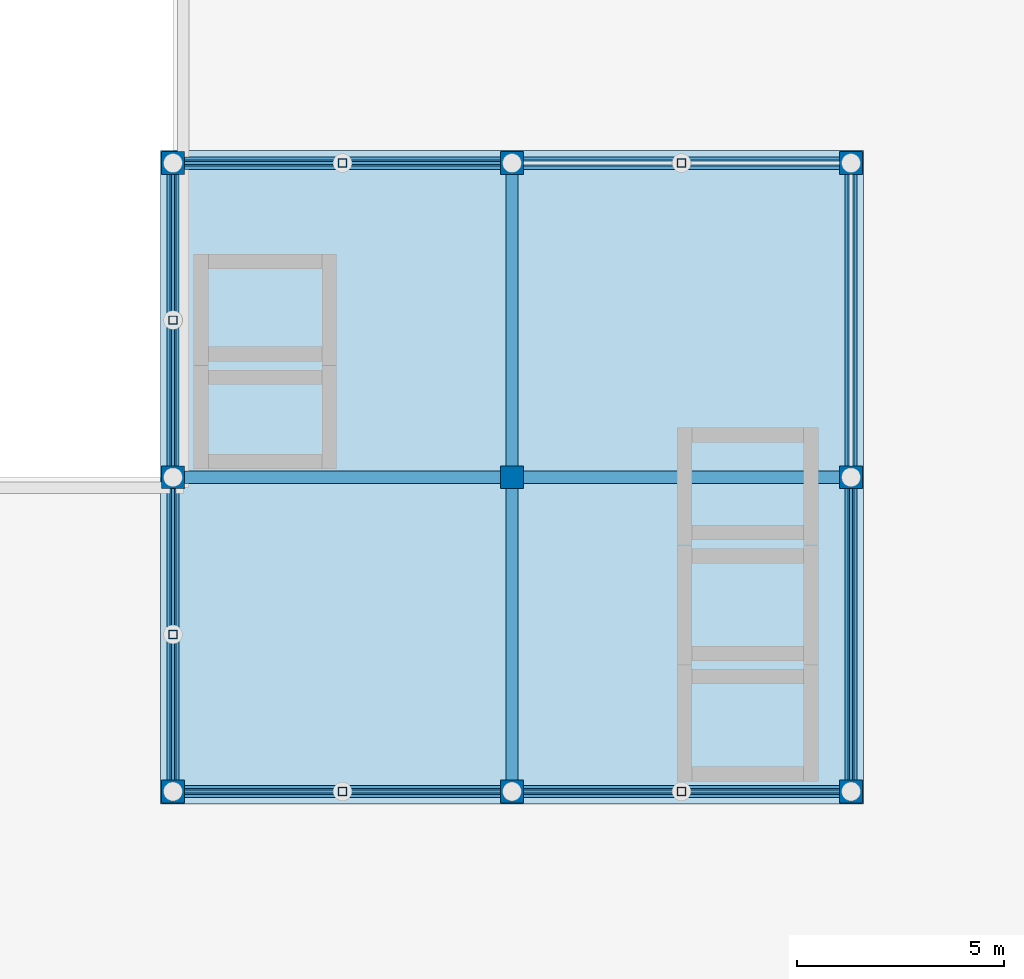
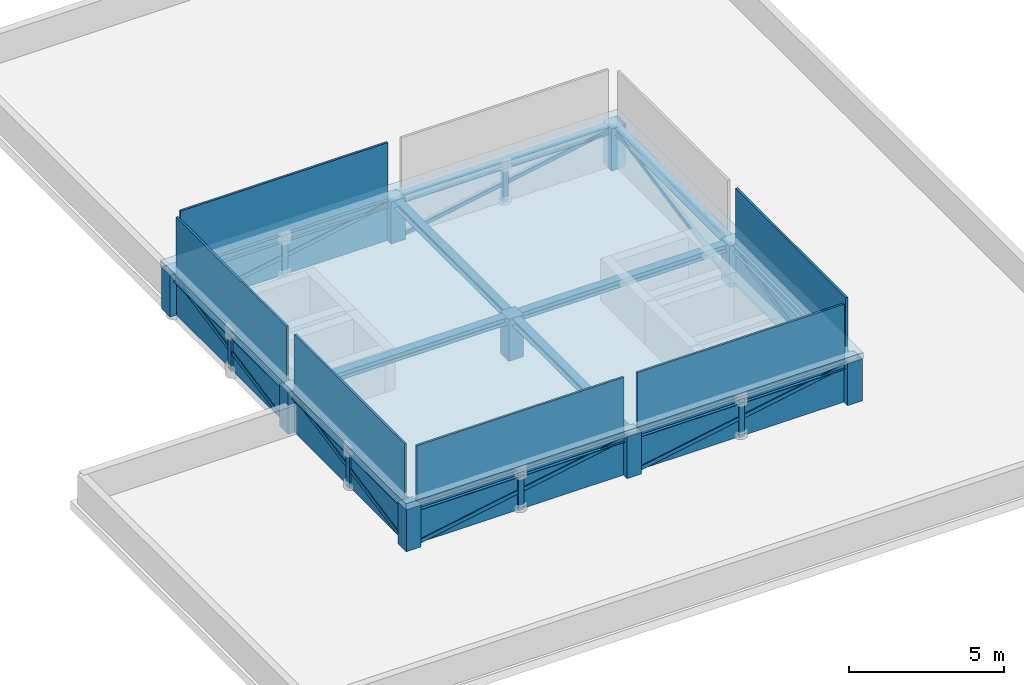
# One storey, part 1 of 2: 14 members, 12 beams, 9 columns, 6 plates, 1 slab.
"""IFC4 building model written with IfcOpenShell, lengths in metres."""

from ifc_helpers import new_model, si_unit, direction, frame, origin, origin_2d, place, context, subcontext, project, spatial, polyline, rectangle, hollow_rectangle, i_section, outline, extrude, material, layer, layer_set, material_profile, profile_set, type_object, element, save


model = new_model("IFC4")

# Units and contexts
model_context = context("Model", 3, precision=1e-05, world=origin(), true_north=direction((0.0, 1.0)))
body_context = subcontext(model_context, "Body", "Model", "MODEL_VIEW")
ifc_project = project(units=[si_unit("LENGTHUNIT", "METRE"), si_unit("AREAUNIT", "SQUARE_METRE"), si_unit("VOLUMEUNIT", "CUBIC_METRE"), si_unit("PLANEANGLEUNIT", "RADIAN"), si_unit("MASSUNIT", "GRAM", prefix="KILO")], contexts=[model_context])

# Site, building, storey
site_placement = place(None, origin())
site = spatial("IfcSite", under=ifc_project, at=site_placement, CompositionType="ELEMENT")
building_placement = place(site_placement, origin())
building = spatial("IfcBuilding", under=site, at=building_placement, Name="Qandaris Square Conservatory and Botanical Centre", CompositionType="ELEMENT")
storey_placement = place(building_placement, frame((0.0, 0.0, 74.199951171875)))
storey = spatial("IfcBuildingStorey", under=building, at=storey_placement, Name="RF", CompositionType="ELEMENT", Elevation=74.199951171875)

# Columns
ifc_material_1 = material(Name="Concrete C40/50", Category="concrete")
ifc_material_profile_1 = material_profile(ifc_material_1, rectangle(XDim=0.550048828125, YDim=0.550048828125, at=origin_2d()), Name="RC-COL 550x550")
ifc_profile_set_1 = profile_set([ifc_material_profile_1], Name="Concrete C40/50")
column_type = type_object("IfcColumnType", Name="RC Column 550x550", PredefinedType="COLUMN", material=ifc_profile_set_1)
for number, where, z_axis, x_axis, name in (
    (1, (139.199951171875, 24.199951171875, 0.0), (0.0, 0.0, 1.0), (1.0, 0.0, 0.0), "Crown Pavilion Column 1.1"),
    (2, (139.199951171875, 31.800048828125, 0.0), (0.0, 0.0, 1.0), (1.0, 0.0, 0.0), "Crown Pavilion Column 1.2"),
    (3, (139.199951171875, 39.39990234375, 0.0), (0.0, 0.0, 1.0), (1.0, 0.0, 0.0), "Crown Pavilion Column 1.3"),
    (4, (147.39990234375, 24.199951171875, 0.0), (0.0, 0.0, 1.0), (1.0, 0.0, 0.0), "Crown Pavilion Column 2.1"),
    (5, (147.39990234375, 31.800048828125, 0.0), (0.0, 0.0, 1.0), (1.0, 0.0, 0.0), "Crown Pavilion Column 2.2"),
    (6, (147.39990234375, 39.39990234375, 0.0), (0.0, 0.0, 1.0), (1.0, 0.0, 0.0), "Crown Pavilion Column 2.3"),
    (7, (155.60009765625, 24.199951171875, 0.0), (0.0, 0.0, 1.0), (1.0, 0.0, 0.0), "Crown Pavilion Column 3.1"),
    (8, (155.60009765625, 31.800048828125, 0.0), (0.0, 0.0, 1.0), (1.0, 0.0, 0.0), "Crown Pavilion Column 3.2"),
    (9, (155.60009765625, 39.39990234375, 0.0), (0.0, 0.0, 1.0), (1.0, 0.0, 0.0), "Crown Pavilion Column 3.3"),
):
    element("IfcColumn", number, at=place(storey_placement, frame(where, z_axis=z_axis, x_axis=x_axis)), inside=storey, type_object=column_type, Name=name, PredefinedType="COLUMN", context=body_context, shape_type="SweptSolid", body=[
        extrude(rectangle(XDim=0.550048828125, YDim=0.550048828125, at=origin_2d()), origin(), (0.0, 0.0, 1.0), 1.650146484375),
    ])

# Beams
ifc_material_2 = material(Name="Steel S355", Category="steel")
ifc_material_profile_2 = material_profile(ifc_material_2, i_section(OverallWidth=0.300048828125, OverallDepth=0.2900390625, WebThickness=0.008544921875, FlangeThickness=0.013916015625, FilletRadius=0.027099609375, at=origin_2d()), Name="HEA 300")
ifc_profile_set_2 = profile_set([ifc_material_profile_2], Name="Steel S355")
beam_type = type_object("IfcBeamType", Name="Canopy Tie Beam HEA 300", PredefinedType="BEAM", material=ifc_profile_set_2)
beam_1_placement = place(storey_placement, frame((139.199951171875, 24.199951171875, 1.5), z_axis=(1.0, 0.0, 0.0), x_axis=(0.0, 1.0, 0.0)))
element("IfcBeam", 10, at=beam_1_placement, inside=storey, type_object=beam_type, Name="Crown Ring Beam X1.1", PredefinedType="BEAM", context=body_context, shape_type="SweptSolid", body=[
    extrude(i_section(OverallWidth=0.300048828125, OverallDepth=0.2900390625, WebThickness=0.008544921875, FlangeThickness=0.013916015625, FilletRadius=0.027099609375, at=origin_2d()), origin(), (0.0, 0.0, 1.0), 8.199951171875),
])
beam_2_placement = place(storey_placement, frame((147.39990234375, 24.199951171875, 1.5), z_axis=(1.0, 0.0, 0.0), x_axis=(0.0, 1.0, 0.0)))
element("IfcBeam", 11, at=beam_2_placement, inside=storey, type_object=beam_type, Name="Crown Ring Beam X2.1", PredefinedType="BEAM", context=body_context, shape_type="SweptSolid", body=[
    extrude(i_section(OverallWidth=0.300048828125, OverallDepth=0.2900390625, WebThickness=0.008544921875, FlangeThickness=0.013916015625, FilletRadius=0.027099609375, at=origin_2d()), origin(), (0.0, 0.0, 1.0), 8.2001953125),
])
beam_3_placement = place(storey_placement, frame((139.199951171875, 31.800048828125, 1.5), z_axis=(1.0, 0.0, 0.0), x_axis=(0.0, 1.0, 0.0)))
element("IfcBeam", 12, at=beam_3_placement, inside=storey, type_object=beam_type, Name="Crown Ring Beam X1.2", PredefinedType="BEAM", context=body_context, shape_type="SweptSolid", body=[
    extrude(i_section(OverallWidth=0.300048828125, OverallDepth=0.2900390625, WebThickness=0.008544921875, FlangeThickness=0.013916015625, FilletRadius=0.027099609375, at=origin_2d()), origin(), (0.0, 0.0, 1.0), 8.199951171875),
])
beam_4_placement = place(storey_placement, frame((147.39990234375, 31.800048828125, 1.5), z_axis=(1.0, 0.0, 0.0), x_axis=(0.0, 1.0, 0.0)))
element("IfcBeam", 13, at=beam_4_placement, inside=storey, type_object=beam_type, Name="Crown Ring Beam X2.2", PredefinedType="BEAM", context=body_context, shape_type="SweptSolid", body=[
    extrude(i_section(OverallWidth=0.300048828125, OverallDepth=0.2900390625, WebThickness=0.008544921875, FlangeThickness=0.013916015625, FilletRadius=0.027099609375, at=origin_2d()), origin(), (0.0, 0.0, 1.0), 8.2001953125),
])
beam_5_placement = place(storey_placement, frame((139.199951171875, 39.39990234375, 1.5), z_axis=(1.0, 0.0, 0.0), x_axis=(0.0, 1.0, 0.0)))
element("IfcBeam", 14, at=beam_5_placement, inside=storey, type_object=beam_type, Name="Crown Ring Beam X1.3", PredefinedType="BEAM", context=body_context, shape_type="SweptSolid", body=[
    extrude(i_section(OverallWidth=0.300048828125, OverallDepth=0.2900390625, WebThickness=0.008544921875, FlangeThickness=0.013916015625, FilletRadius=0.027099609375, at=origin_2d()), origin(), (0.0, 0.0, 1.0), 8.199951171875),
])
beam_6_placement = place(storey_placement, frame((147.39990234375, 39.39990234375, 1.5), z_axis=(1.0, 0.0, 0.0), x_axis=(0.0, 1.0, 0.0)))
element("IfcBeam", 15, at=beam_6_placement, inside=storey, type_object=beam_type, Name="Crown Ring Beam X2.3", PredefinedType="BEAM", context=body_context, shape_type="SweptSolid", body=[
    extrude(i_section(OverallWidth=0.300048828125, OverallDepth=0.2900390625, WebThickness=0.008544921875, FlangeThickness=0.013916015625, FilletRadius=0.027099609375, at=origin_2d()), origin(), (0.0, 0.0, 1.0), 8.2001953125),
])
beam_7_placement = place(storey_placement, frame((139.199951171875, 24.199951171875, 1.5), z_axis=(0.0, 1.0, 0.0), x_axis=(-1.0, 0.0, 0.0)))
element("IfcBeam", 16, at=beam_7_placement, inside=storey, type_object=beam_type, Name="Crown Ring Beam Y1.1", PredefinedType="BEAM", context=body_context, shape_type="SweptSolid", body=[
    extrude(i_section(OverallWidth=0.300048828125, OverallDepth=0.2900390625, WebThickness=0.008544921875, FlangeThickness=0.013916015625, FilletRadius=0.027099609375, at=origin_2d()), origin(), (0.0, 0.0, 1.0), 7.60009765625),
])
beam_8_placement = place(storey_placement, frame((139.199951171875, 31.800048828125, 1.5), z_axis=(0.0, 1.0, 0.0), x_axis=(-1.0, 0.0, 0.0)))
element("IfcBeam", 17, at=beam_8_placement, inside=storey, type_object=beam_type, Name="Crown Ring Beam Y1.2", PredefinedType="BEAM", context=body_context, shape_type="SweptSolid", body=[
    extrude(i_section(OverallWidth=0.300048828125, OverallDepth=0.2900390625, WebThickness=0.008544921875, FlangeThickness=0.013916015625, FilletRadius=0.027099609375, at=origin_2d()), origin(), (0.0, 0.0, 1.0), 7.599853515625),
])
beam_9_placement = place(storey_placement, frame((147.39990234375, 24.199951171875, 1.5), z_axis=(0.0, 1.0, 0.0), x_axis=(-1.0, 0.0, 0.0)))
element("IfcBeam", 18, at=beam_9_placement, inside=storey, type_object=beam_type, Name="Crown Ring Beam Y2.1", PredefinedType="BEAM", context=body_context, shape_type="SweptSolid", body=[
    extrude(i_section(OverallWidth=0.300048828125, OverallDepth=0.2900390625, WebThickness=0.008544921875, FlangeThickness=0.013916015625, FilletRadius=0.027099609375, at=origin_2d()), origin(), (0.0, 0.0, 1.0), 7.60009765625),
])
beam_10_placement = place(storey_placement, frame((147.39990234375, 31.800048828125, 1.5), z_axis=(0.0, 1.0, 0.0), x_axis=(-1.0, 0.0, 0.0)))
element("IfcBeam", 19, at=beam_10_placement, inside=storey, type_object=beam_type, Name="Crown Ring Beam Y2.2", PredefinedType="BEAM", context=body_context, shape_type="SweptSolid", body=[
    extrude(i_section(OverallWidth=0.300048828125, OverallDepth=0.2900390625, WebThickness=0.008544921875, FlangeThickness=0.013916015625, FilletRadius=0.027099609375, at=origin_2d()), origin(), (0.0, 0.0, 1.0), 7.599853515625),
])
beam_11_placement = place(storey_placement, frame((155.60009765625, 24.199951171875, 1.5), z_axis=(0.0, 1.0, 0.0), x_axis=(-1.0, 0.0, 0.0)))
element("IfcBeam", 20, at=beam_11_placement, inside=storey, type_object=beam_type, Name="Crown Ring Beam Y3.1", PredefinedType="BEAM", context=body_context, shape_type="SweptSolid", body=[
    extrude(i_section(OverallWidth=0.300048828125, OverallDepth=0.2900390625, WebThickness=0.008544921875, FlangeThickness=0.013916015625, FilletRadius=0.027099609375, at=origin_2d()), origin(), (0.0, 0.0, 1.0), 7.60009765625),
])
beam_12_placement = place(storey_placement, frame((155.60009765625, 31.800048828125, 1.5), z_axis=(0.0, 1.0, 0.0), x_axis=(-1.0, 0.0, 0.0)))
element("IfcBeam", 21, at=beam_12_placement, inside=storey, type_object=beam_type, Name="Crown Ring Beam Y3.2", PredefinedType="BEAM", context=body_context, shape_type="SweptSolid", body=[
    extrude(i_section(OverallWidth=0.300048828125, OverallDepth=0.2900390625, WebThickness=0.008544921875, FlangeThickness=0.013916015625, FilletRadius=0.027099609375, at=origin_2d()), origin(), (0.0, 0.0, 1.0), 7.599853515625),
])

# Members
ifc_material_profile_3 = material_profile(ifc_material_2, hollow_rectangle(XDim=0.14990234375, YDim=0.14990234375, WallThickness=0.008056640625, at=origin_2d()), Name="SHS 150x150x8.0")
ifc_profile_set_3 = profile_set([ifc_material_profile_3], Name="Steel S355")
member_type_1 = type_object("IfcMemberType", Name="Crown Equipment Frame Brace SHS 150x150x8.0", PredefinedType="BRACE", material=ifc_profile_set_3)
for number, where, z_axis, x_axis, name in (
    (22, (139.199951171875, 24.199951171875, 0.0), (0.983677217048, 0.0, 0.17994202583), (0.0, 1.0, 0.0), "Crown Screen Brace X1.1"),
    (23, (139.199951171875, 39.39990234375, 0.0), (0.983677217048, 0.0, 0.17994202583), (0.0, 1.0, 0.0), "Crown Screen Brace X1.3"),
):
    element("IfcMember", number, at=place(storey_placement, frame(where, z_axis=z_axis, x_axis=x_axis)), inside=storey, type_object=member_type_1, Name=name, PredefinedType="BRACE", context=body_context, shape_type="SweptSolid", body=[
        extrude(hollow_rectangle(XDim=0.14990234375, YDim=0.14990234375, WallThickness=0.008056640625, at=origin_2d()), origin(), (0.0, 0.0, 1.0), 8.3359375),
    ])
for number, where, z_axis, x_axis, name in (
    (24, (147.39990234375, 24.199951171875, 0.0), (0.983678165309, 0.0, 0.179936841957), (0.0, 1.0, 0.0), "Crown Screen Brace X2.1"),
    (25, (147.39990234375, 39.39990234375, 0.0), (0.983678165309, 0.0, 0.179936841957), (0.0, 1.0, 0.0), "Crown Screen Brace X2.3"),
):
    element("IfcMember", number, at=place(storey_placement, frame(where, z_axis=z_axis, x_axis=x_axis)), inside=storey, type_object=member_type_1, Name=name, PredefinedType="BRACE", context=body_context, shape_type="SweptSolid", body=[
        extrude(hollow_rectangle(XDim=0.14990234375, YDim=0.14990234375, WallThickness=0.008056640625, at=origin_2d()), origin(), (0.0, 0.0, 1.0), 8.336181640625),
    ])
member_1_placement = place(storey_placement, frame((139.199951171875, 24.199951171875, 0.0), z_axis=(0.0, 0.981074500926, 0.193630637125), x_axis=(-1.0, 0.0, 0.0)))
element("IfcMember", 26, at=member_1_placement, inside=storey, type_object=member_type_1, Name="Crown Screen Brace Y1.1", PredefinedType="BRACE", context=body_context, shape_type="SweptSolid", body=[
    extrude(hollow_rectangle(XDim=0.14990234375, YDim=0.14990234375, WallThickness=0.008056640625, at=origin_2d()), origin(), (0.0, 0.0, 1.0), 7.746826171875),
])
member_2_placement = place(storey_placement, frame((139.199951171875, 31.800048828125, 0.0), z_axis=(0.0, 0.98107331927, 0.193636624164), x_axis=(-1.0, 0.0, 0.0)))
element("IfcMember", 27, at=member_2_placement, inside=storey, type_object=member_type_1, Name="Crown Screen Brace Y1.2", PredefinedType="BRACE", context=body_context, shape_type="SweptSolid", body=[
    extrude(hollow_rectangle(XDim=0.14990234375, YDim=0.14990234375, WallThickness=0.008056640625, at=origin_2d()), origin(), (0.0, 0.0, 1.0), 7.74658203125),
])
member_3_placement = place(storey_placement, frame((155.60009765625, 24.199951171875, 0.0), z_axis=(0.0, 0.981074500926, 0.193630637125), x_axis=(-1.0, 0.0, 0.0)))
element("IfcMember", 28, at=member_3_placement, inside=storey, type_object=member_type_1, Name="Crown Screen Brace Y3.1", PredefinedType="BRACE", context=body_context, shape_type="SweptSolid", body=[
    extrude(hollow_rectangle(XDim=0.14990234375, YDim=0.14990234375, WallThickness=0.008056640625, at=origin_2d()), origin(), (0.0, 0.0, 1.0), 7.746826171875),
])
member_4_placement = place(storey_placement, frame((155.60009765625, 31.800048828125, 0.0), z_axis=(0.0, 0.98107331927, 0.193636624164), x_axis=(-1.0, 0.0, 0.0)))
element("IfcMember", 29, at=member_4_placement, inside=storey, type_object=member_type_1, Name="Crown Screen Brace Y3.2", PredefinedType="BRACE", context=body_context, shape_type="SweptSolid", body=[
    extrude(hollow_rectangle(XDim=0.14990234375, YDim=0.14990234375, WallThickness=0.008056640625, at=origin_2d()), origin(), (0.0, 0.0, 1.0), 7.74658203125),
])
ifc_material_profile_4 = material_profile(ifc_material_2, hollow_rectangle(XDim=0.199951171875, YDim=0.199951171875, WallThickness=0.010009765625, at=origin_2d()), Name="SHS 200x200x10.0")
ifc_profile_set_4 = profile_set([ifc_material_profile_4], Name="Steel S355")
member_type_2 = type_object("IfcMemberType", Name="Crown Equipment Frame Strut SHS 200x200x10.0", PredefinedType="CHORD", material=ifc_profile_set_4)
for number, where, z_axis, x_axis, name in (
    (30, (143.300048828125, 24.199951171875, 0.0), (0.0, 0.0, 1.0), (1.0, 0.0, 0.0), "Crown Screen Strut 1.1"),
    (31, (143.300048828125, 39.39990234375, 0.0), (0.0, 0.0, 1.0), (1.0, 0.0, 0.0), "Crown Screen Strut 1.2"),
    (32, (151.5, 24.199951171875, 0.0), (0.0, 0.0, 1.0), (1.0, 0.0, 0.0), "Crown Screen Strut 2.1"),
    (33, (151.5, 39.39990234375, 0.0), (0.0, 0.0, 1.0), (1.0, 0.0, 0.0), "Crown Screen Strut 2.2"),
    (34, (139.199951171875, 28.0, 0.0), (0.0, 0.0, 1.0), (1.0, 0.0, 0.0), "Crown Screen West Strut 1"),
    (35, (139.199951171875, 35.60009765625, 0.0), (0.0, 0.0, 1.0), (1.0, 0.0, 0.0), "Crown Screen West Strut 2"),
):
    element("IfcMember", number, at=place(storey_placement, frame(where, z_axis=z_axis, x_axis=x_axis)), inside=storey, type_object=member_type_2, Name=name, PredefinedType="CHORD", context=body_context, shape_type="SweptSolid", body=[
        extrude(hollow_rectangle(XDim=0.199951171875, YDim=0.199951171875, WallThickness=0.010009765625, at=origin_2d()), origin(), (0.0, 0.0, 1.0), 1.5),
    ])

# Plates
ifc_material_3 = material(Name="Anodised Aluminium", Category="aluminium")
ifc_layer_1 = layer(ifc_material_3, 0.080078125)
ifc_layer_set_1 = layer_set([ifc_layer_1], Name="Anodised Aluminium")
plate_type = type_object("IfcPlateType", Name="Acoustic Plant Louvre Screen Panel", PredefinedType="USERDEFINED", material=ifc_layer_set_1)
for number, where, z_axis, x_axis, name in (
    (36, (143.300048828125, 24.199951171875, 0.0), (0.0, 0.0, 1.0), (1.0, 0.0, 0.0), "Crown Louvre Enclosure CRN-LVR-S1"),
    (37, (151.5, 24.199951171875, 0.0), (0.0, 0.0, 1.0), (1.0, 0.0, 0.0), "Crown Louvre Enclosure CRN-LVR-S2"),
    (38, (143.300048828125, 39.39990234375, 0.0), (0.0, 0.0, 1.0), (1.0, 0.0, 0.0), "Crown Louvre Enclosure CRN-LVR-N1"),
):
    element("IfcPlate", number, at=place(storey_placement, frame(where, z_axis=z_axis, x_axis=x_axis)), inside=storey, type_object=plate_type, Name=name, ObjectType="PLANT LOUVRE", PredefinedType="USERDEFINED", context=body_context, shape_type="SweptSolid", body=[
        extrude(rectangle(XDim=7.699951171875, YDim=0.080078125, at=origin_2d()), origin(), (0.0, 0.0, 1.0), 3.840087890625),
    ])
for number, where, z_axis, x_axis, name in (
    (39, (139.199951171875, 28.0, 0.0), (0.0, 0.0, 1.0), (0.0, 1.0, 0.0), "Crown Louvre Enclosure CRN-LVR-W1"),
    (40, (139.199951171875, 35.60009765625, 0.0), (0.0, 0.0, 1.0), (0.0, 1.0, 0.0), "Crown Louvre Enclosure CRN-LVR-W2"),
    (41, (155.60009765625, 28.0, 0.0), (0.0, 0.0, 1.0), (0.0, 1.0, 0.0), "Crown Louvre Enclosure CRN-LVR-E1"),
):
    element("IfcPlate", number, at=place(storey_placement, frame(where, z_axis=z_axis, x_axis=x_axis)), inside=storey, type_object=plate_type, Name=name, ObjectType="PLANT LOUVRE", PredefinedType="USERDEFINED", context=body_context, shape_type="SweptSolid", body=[
        extrude(rectangle(XDim=7.10009765625, YDim=0.080078125, at=origin_2d()), origin(), (0.0, 0.0, 1.0), 3.840087890625),
    ])

# Slab
ifc_layer_2 = layer(ifc_material_1, 0.2548828125)
ifc_layer_set_2 = layer_set([ifc_layer_2], Name="Concrete C40/50")
slab_type = type_object("IfcSlabType", Name="RC Flat Roof Slab 255mm", PredefinedType="ROOF", material=ifc_layer_set_2)
slab_placement = place(storey_placement, frame((0.0, 0.0, 1.650146484375)))
element("IfcSlab", 42, at=slab_placement, inside=storey, type_object=slab_type, Name="Crown Pavilion Cap Roof Slab", PredefinedType="ROOF", context=body_context, shape_type="SweptSolid", body=[
    extrude(outline(polyline([(138.89990234375, 23.89990234375), (155.89990234375, 23.89990234375), (155.89990234375, 39.699951171875), (138.89990234375, 39.699951171875), (138.89990234375, 23.89990234375)])), origin(), (0.0, 0.0, 1.0), 0.2548828125),
])

save(model, "model.ifc")
